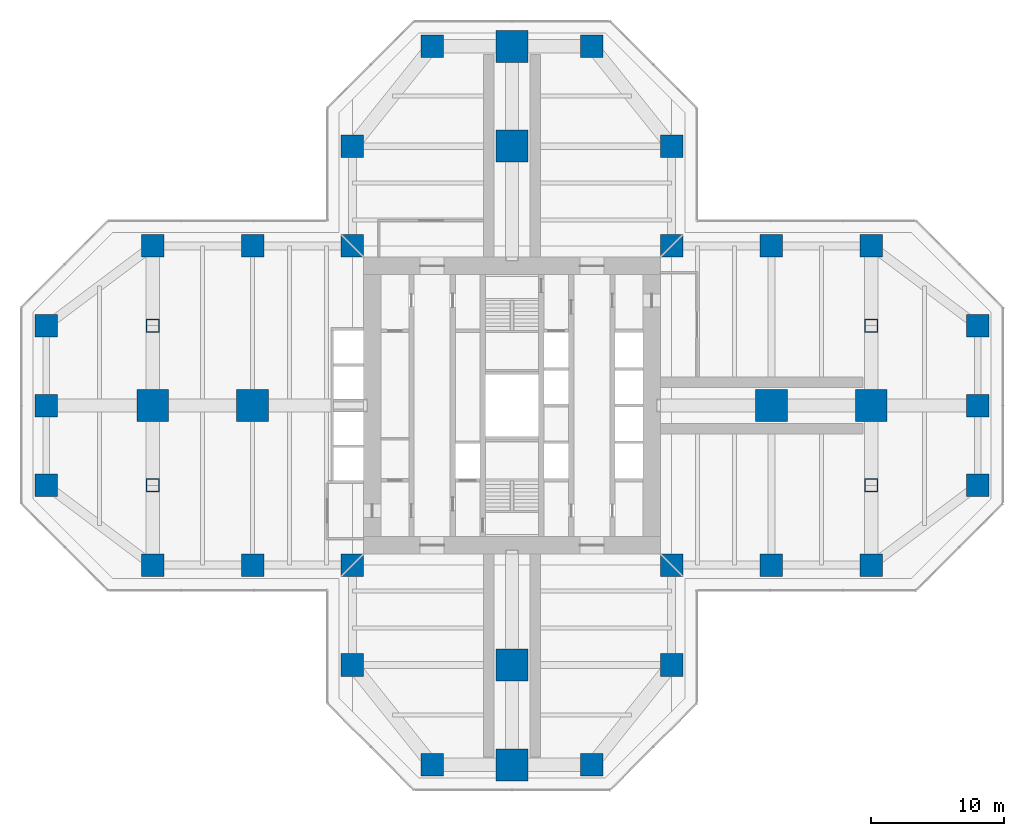
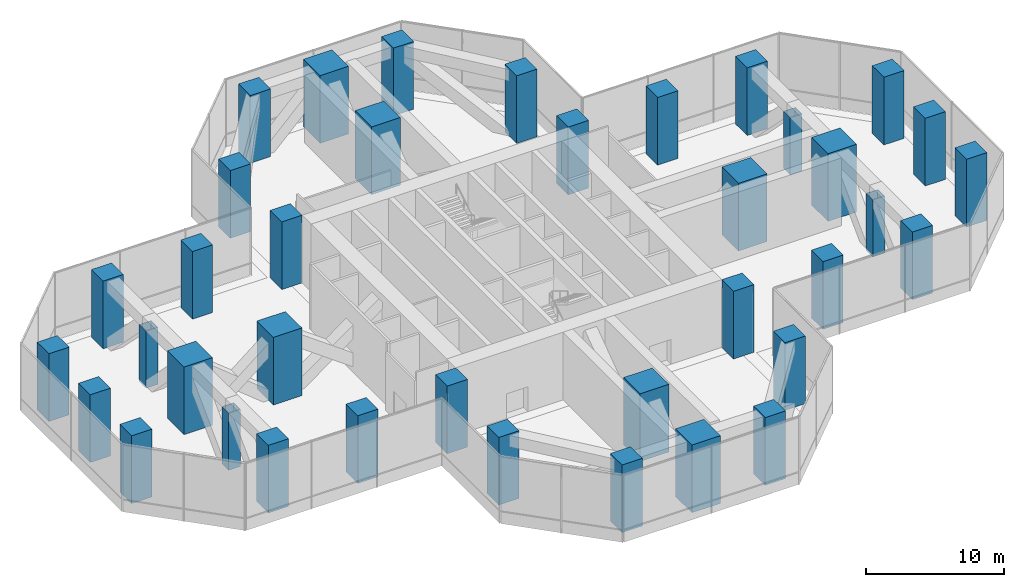
# One storey, part 1 of 19: 38 columns.
"""IFC4 building model written with IfcOpenShell, lengths in metres."""

from ifc_helpers import new_model, si_unit, direction, frame, origin, origin_2d, place, context, subcontext, project, spatial, rectangle, hollow_rectangle, extrude, material, material_profile, profile_set, type_object, element, save


model = new_model("IFC4")

# Units and contexts
model_context = context("Model", 3, precision=1e-05, world=origin(), true_north=direction((0.0, 1.0)))
body_context = subcontext(model_context, "Body", "Model", "MODEL_VIEW")
ifc_project = project(units=[si_unit("LENGTHUNIT", "METRE"), si_unit("AREAUNIT", "SQUARE_METRE"), si_unit("VOLUMEUNIT", "CUBIC_METRE"), si_unit("PLANEANGLEUNIT", "RADIAN"), si_unit("MASSUNIT", "GRAM", prefix="KILO")], contexts=[model_context])

# Site, building, storey
site_placement = place(None, origin())
site = spatial("IfcSite", under=ifc_project, at=site_placement, CompositionType="ELEMENT")
building_placement = place(site_placement, origin())
building = spatial("IfcBuilding", under=site, at=building_placement, Name="Mizan Broadcast Tower", CompositionType="ELEMENT")
storey_placement = place(building_placement, frame((0.0, 0.0, 198.89990234375)))
storey = spatial("IfcBuildingStorey", under=building, at=storey_placement, Name="L46", CompositionType="ELEMENT", Elevation=198.89990234375)

# Columns
ifc_material_1 = material(Name="Steel S460", Category="steel")
ifc_material_profile_1 = material_profile(ifc_material_1, hollow_rectangle(XDim=1.0, YDim=1.0, WallThickness=0.06005859375, at=origin_2d()), Name="BOX 1000x1000x60")
ifc_profile_set_1 = profile_set([ifc_material_profile_1], Name="Steel S460")
column_type_1 = type_object("IfcColumnType", Name="BELT TRUSS BT3 TRANSFER POST BOX 1000x1000x60", PredefinedType="COLUMN", material=ifc_profile_set_1)
for number, where, z_axis, x_axis, name in (
    (1, (27.0, -6.0, -0.179931640625), (0.0, 0.0, 1.0), (1.0, 0.0, 0.0), "Belt truss BT3-E27 transfer post 1"),
    (2, (27.0, 6.0, -0.179931640625), (0.0, 0.0, 1.0), (1.0, 0.0, 0.0), "Belt truss BT3-E27 transfer post 3"),
    (3, (-27.0, 6.0, -0.179931640625), (0.0, 0.0, 1.0), (1.0, 0.0, 0.0), "Belt truss BT3-W27 transfer post 1"),
    (4, (-27.0, -6.0, -0.179931640625), (0.0, 0.0, 1.0), (1.0, 0.0, 0.0), "Belt truss BT3-W27 transfer post 3"),
):
    element("IfcColumn", number, at=place(storey_placement, frame(where, z_axis=z_axis, x_axis=x_axis)), inside=storey, type_object=column_type_1, Name=name, PredefinedType="COLUMN", context=body_context, shape_type="SweptSolid", body=[
        extrude(hollow_rectangle(XDim=1.0, YDim=1.0, WallThickness=0.06005859375, at=origin_2d()), origin(), (0.0, 0.0, 1.0), 5.050048828125),
    ])
ifc_material_2 = material(Name="Concrete C70/85", Category="concrete")
ifc_material_profile_2 = material_profile(ifc_material_2, rectangle(XDim=1.699951171875, YDim=1.699951171875, at=origin_2d()), Name="RC 1700x1700")
ifc_profile_set_2 = profile_set([ifc_material_profile_2], Name="Concrete C70/85")
column_type_2 = type_object("IfcColumnType", Name="RC COLUMN 1700x1700 C70/85", PredefinedType="COLUMN", material=ifc_profile_set_2)
for number, where, z_axis, x_axis, name in (
    (5, (-6.0, -27.0, 0.0), (0.0, 0.0, 1.0), (1.0, 0.0, 0.0), "Column 5/B L46"),
    (6, (6.0, -27.0, 0.0), (0.0, 0.0, 1.0), (1.0, 0.0, 0.0), "Column 7/B L46"),
    (7, (-12.0, -19.5, 0.0), (0.0, 0.0, 1.0), (1.0, 0.0, 0.0), "Column 4/C L46"),
    (8, (12.0, -19.5, 0.0), (0.0, 0.0, 1.0), (1.0, 0.0, 0.0), "Column 8/C L46"),
    (9, (-27.0, -12.0, 0.0), (0.0, 0.0, 1.0), (1.0, 0.0, 0.0), "Column 2/D L46"),
    (10, (-19.5, -12.0, 0.0), (0.0, 0.0, 1.0), (1.0, 0.0, 0.0), "Column 3/D L46"),
    (11, (-12.0, -12.0, 0.0), (0.0, 0.0, 1.0), (1.0, 0.0, 0.0), "Column 4/D L46"),
    (12, (12.0, -12.0, 0.0), (0.0, 0.0, 1.0), (1.0, 0.0, 0.0), "Column 8/D L46"),
    (13, (19.5, -12.0, 0.0), (0.0, 0.0, 1.0), (1.0, 0.0, 0.0), "Column 9/D L46"),
    (14, (27.0, -12.0, 0.0), (0.0, 0.0, 1.0), (1.0, 0.0, 0.0), "Column 10/D L46"),
    (15, (-35.0, -6.0, 0.0), (0.0, 0.0, 1.0), (1.0, 0.0, 0.0), "Column 1/E L46"),
    (16, (35.0, -6.0, 0.0), (0.0, 0.0, 1.0), (1.0, 0.0, 0.0), "Column 11/E L46"),
    (17, (-35.0, 0.0, 0.0), (0.0, 0.0, 1.0), (1.0, 0.0, 0.0), "Column 1/F L46"),
    (18, (35.0, 0.0, 0.0), (0.0, 0.0, 1.0), (1.0, 0.0, 0.0), "Column 11/F L46"),
    (19, (-35.0, 6.0, 0.0), (0.0, 0.0, 1.0), (1.0, 0.0, 0.0), "Column 1/G L46"),
    (20, (35.0, 6.0, 0.0), (0.0, 0.0, 1.0), (1.0, 0.0, 0.0), "Column 11/G L46"),
    (21, (-27.0, 12.0, 0.0), (0.0, 0.0, 1.0), (1.0, 0.0, 0.0), "Column 2/H L46"),
    (22, (-19.5, 12.0, 0.0), (0.0, 0.0, 1.0), (1.0, 0.0, 0.0), "Column 3/H L46"),
    (23, (-12.0, 12.0, 0.0), (0.0, 0.0, 1.0), (1.0, 0.0, 0.0), "Column 4/H L46"),
    (24, (12.0, 12.0, 0.0), (0.0, 0.0, 1.0), (1.0, 0.0, 0.0), "Column 8/H L46"),
    (25, (19.5, 12.0, 0.0), (0.0, 0.0, 1.0), (1.0, 0.0, 0.0), "Column 9/H L46"),
    (26, (27.0, 12.0, 0.0), (0.0, 0.0, 1.0), (1.0, 0.0, 0.0), "Column 10/H L46"),
    (27, (-12.0, 19.5, 0.0), (0.0, 0.0, 1.0), (1.0, 0.0, 0.0), "Column 4/J L46"),
    (28, (12.0, 19.5, 0.0), (0.0, 0.0, 1.0), (1.0, 0.0, 0.0), "Column 8/J L46"),
    (29, (-6.0, 27.0, 0.0), (0.0, 0.0, 1.0), (1.0, 0.0, 0.0), "Column 5/K L46"),
    (30, (6.0, 27.0, 0.0), (0.0, 0.0, 1.0), (1.0, 0.0, 0.0), "Column 7/K L46"),
):
    element("IfcColumn", number, at=place(storey_placement, frame(where, z_axis=z_axis, x_axis=x_axis)), inside=storey, type_object=column_type_2, Name=name, PredefinedType="COLUMN", context=body_context, shape_type="SweptSolid", body=[
        extrude(rectangle(XDim=1.699951171875, YDim=1.699951171875, at=origin_2d()), origin(), (0.0, 0.0, 1.0), 6.0),
    ])
ifc_material_3 = material(Name="Concrete C70/85", Category="concrete")
ifc_material_profile_3 = material_profile(ifc_material_3, rectangle(XDim=2.39990234375, YDim=2.39990234375, at=origin_2d()), Name="RC 2400x2400")
ifc_profile_set_3 = profile_set([ifc_material_profile_3], Name="Concrete C70/85")
column_type_3 = type_object("IfcColumnType", Name="RC COLUMN 2400x2400 C70/85", PredefinedType="COLUMN", material=ifc_profile_set_3)
for number, where, z_axis, x_axis, name in (
    (31, (0.0, -27.0, 0.0), (0.0, 0.0, 1.0), (1.0, 0.0, 0.0), "Column 6/B L46"),
    (32, (0.0, -19.5, 0.0), (0.0, 0.0, 1.0), (1.0, 0.0, 0.0), "Column 6/C L46"),
    (33, (-27.0, 0.0, 0.0), (0.0, 0.0, 1.0), (1.0, 0.0, 0.0), "Column 2/F L46"),
    (34, (-19.5, 0.0, 0.0), (0.0, 0.0, 1.0), (1.0, 0.0, 0.0), "Column 3/F L46"),
    (35, (19.5, 0.0, 0.0), (0.0, 0.0, 1.0), (1.0, 0.0, 0.0), "Column 9/F L46"),
    (36, (27.0, 0.0, 0.0), (0.0, 0.0, 1.0), (1.0, 0.0, 0.0), "Column 10/F L46"),
    (37, (0.0, 19.5, 0.0), (0.0, 0.0, 1.0), (1.0, 0.0, 0.0), "Column 6/J L46"),
    (38, (0.0, 27.0, 0.0), (0.0, 0.0, 1.0), (1.0, 0.0, 0.0), "Column 6/K L46"),
):
    element("IfcColumn", number, at=place(storey_placement, frame(where, z_axis=z_axis, x_axis=x_axis)), inside=storey, type_object=column_type_3, Name=name, PredefinedType="COLUMN", context=body_context, shape_type="SweptSolid", body=[
        extrude(rectangle(XDim=2.39990234375, YDim=2.39990234375, at=origin_2d()), origin(), (0.0, 0.0, 1.0), 6.0),
    ])

save(model, "model.ifc")
